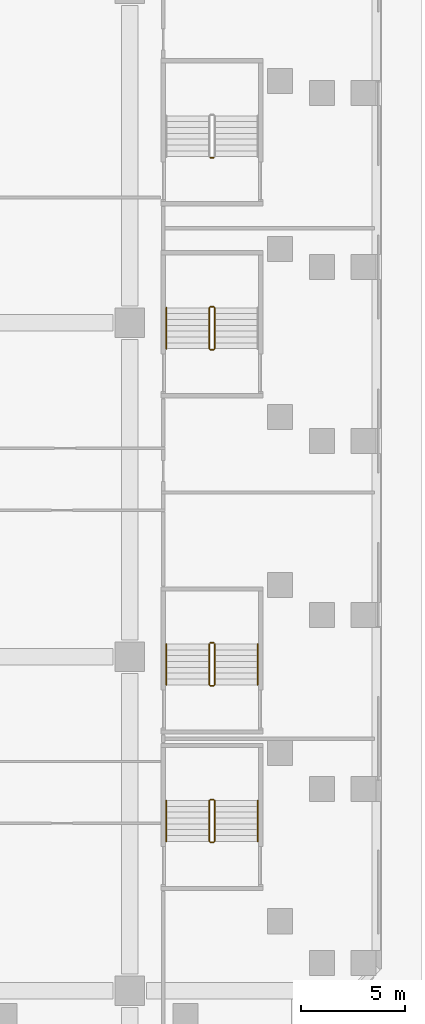
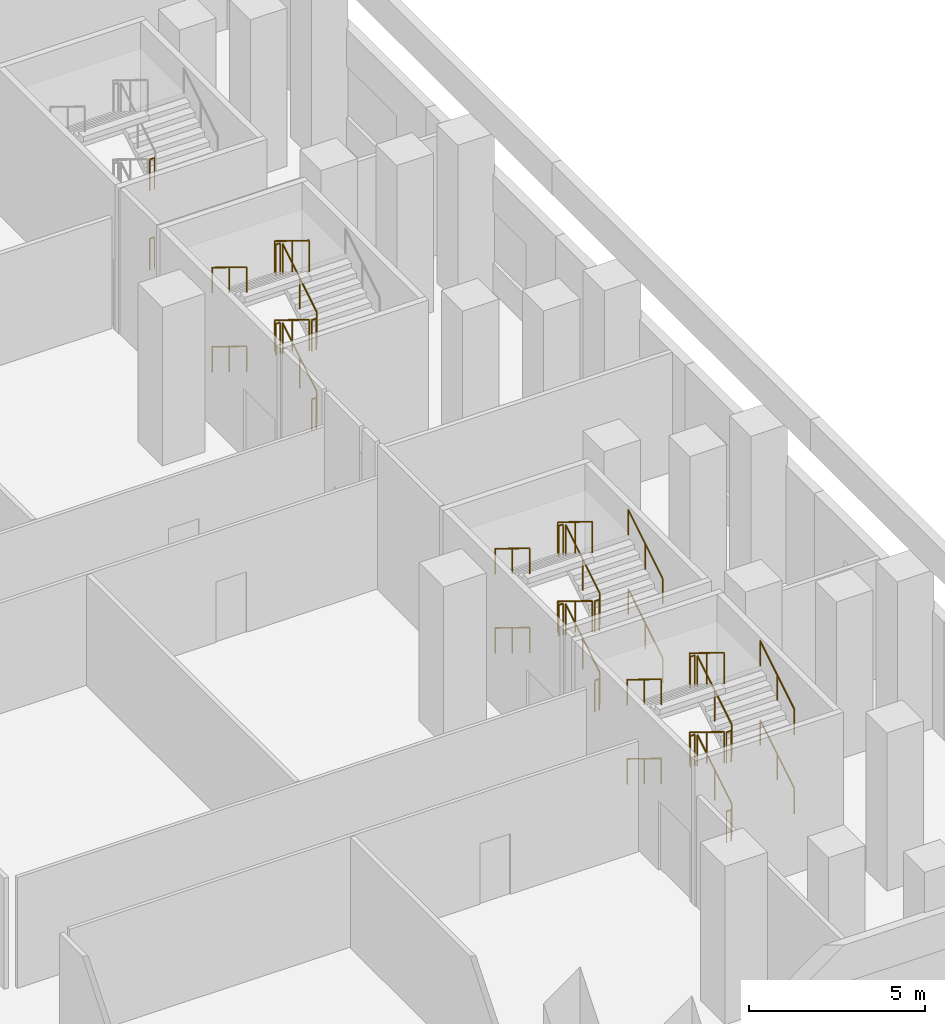
# One storey, part 21 of 22: 36 railings.
"""IFC4 building model written with IfcOpenShell, lengths in metres."""

from ifc_helpers import new_model, si_unit, direction, frame, origin, origin_2d, place, context, subcontext, project, spatial, circle, extrude, material, type_object, element, save


model = new_model("IFC4")

# Units and contexts
model_context = context("Model", 3, precision=1e-05, world=origin(), true_north=direction((0.0, 1.0)))
body_context = subcontext(model_context, "Body", "Model", "MODEL_VIEW")
ifc_project = project(units=[si_unit("LENGTHUNIT", "METRE"), si_unit("AREAUNIT", "SQUARE_METRE"), si_unit("VOLUMEUNIT", "CUBIC_METRE"), si_unit("PLANEANGLEUNIT", "RADIAN"), si_unit("MASSUNIT", "GRAM", prefix="KILO")], contexts=[model_context])

# Site, building, storey
site_placement = place(None, origin())
site = spatial("IfcSite", under=ifc_project, at=site_placement, CompositionType="ELEMENT")
building_placement = place(site_placement, origin())
building = spatial("IfcBuilding", under=site, at=building_placement, Name="Calabash Gate Tower", CompositionType="ELEMENT")
storey_placement = place(building_placement, frame((0.0, 0.0, 29.0)))
storey = spatial("IfcBuildingStorey", under=building, at=storey_placement, Name="L03", CompositionType="ELEMENT", Elevation=29.0)

# Railings
ifc_material_1 = material(Name="Black powder-coated steel balusters", Category="steel")
railing_type_1 = type_object("IfcRailingType", Name="Stair guard RL1100", PredefinedType="GUARDRAIL", material=ifc_material_1)
railing_1_placement = place(storey_placement, frame((36.06005859375, -32.840087890625, 0.171875)))
element("IfcRailing", 1, at=railing_1_placement, inside=storey, type_object=railing_type_1, Name="L03 PS6 stair guard 1", PredefinedType="GUARDRAIL", context=body_context, shape_type="SweptSolid", body=[
    extrude(circle(Radius=0.02392578125, at=origin_2d()), frame((0.0, 0.0, 1.076171875), z_axis=(0.0, 0.851424364277, 0.524477408394), x_axis=(-1.0, 0.0, 0.0)), (0.0, 0.0, 1.0), 2.2939453125),
    extrude(circle(Radius=0.02099609375, at=origin_2d()), origin(), (0.0, 0.0, 1.0), 1.052001953125),
    extrude(circle(Radius=0.02099609375, at=origin_2d()), frame((0.0, 0.9765625, 0.6015625)), (0.0, 0.0, 1.0), 1.052001953125),
    extrude(circle(Radius=0.02099609375, at=origin_2d()), frame((0.0, 1.953125, 1.203125)), (0.0, 0.0, 1.0), 1.052001953125),
])
railing_2_placement = place(storey_placement, frame((36.010009765625, -30.8369140625, 1.375)))
element("IfcRailing", 2, at=railing_2_placement, inside=storey, type_object=railing_type_1, Name="L03 PS6 stair guard 2", PredefinedType="GUARDRAIL", context=body_context, shape_type="SweptSolid", body=[
    extrude(circle(Radius=0.02392578125, at=origin_2d()), frame((0.0, 0.0, 1.076171875), z_axis=(-1.0, 0.0, 0.0), x_axis=(0.0, -1.0, 0.0)), (0.0, 0.0, 1.0), 0.14990234375),
    extrude(circle(Radius=0.02099609375, at=origin_2d()), origin(), (0.0, 0.0, 1.0), 1.052001953125),
    extrude(circle(Radius=0.02099609375, at=origin_2d()), frame((-0.14990234375, 0.0, 0.0)), (0.0, 0.0, 1.0), 1.052001953125),
])
railing_3_placement = place(storey_placement, frame((35.81005859375, -30.886962890625, 1.546875)))
element("IfcRailing", 3, at=railing_3_placement, inside=storey, type_object=railing_type_1, Name="L03 PS6 stair guard 3", PredefinedType="GUARDRAIL", context=body_context, shape_type="SweptSolid", body=[
    extrude(circle(Radius=0.02392578125, at=origin_2d()), frame((0.0, 0.0, 1.076171875), z_axis=(0.0, -0.851424364277, 0.524477408394), x_axis=(1.0, 0.0, 0.0)), (0.0, 0.0, 1.0), 2.2939453125),
    extrude(circle(Radius=0.02099609375, at=origin_2d()), origin(), (0.0, 0.0, 1.0), 1.052001953125),
    extrude(circle(Radius=0.02099609375, at=origin_2d()), frame((0.0, -0.9765625, 0.6015625)), (0.0, 0.0, 1.0), 1.052001953125),
    extrude(circle(Radius=0.02099609375, at=origin_2d()), frame((0.0, -1.953125, 1.203125)), (0.0, 0.0, 1.0), 1.052001953125),
])
railing_4_placement = place(storey_placement, frame((36.010009765625, -32.889892578125, 2.75)))
element("IfcRailing", 4, at=railing_4_placement, inside=storey, type_object=railing_type_1, Name="L03 PS6 stair guard 4", PredefinedType="GUARDRAIL", context=body_context, shape_type="SweptSolid", body=[
    extrude(circle(Radius=0.02392578125, at=origin_2d()), frame((0.0, 0.0, 1.076171875), z_axis=(-1.0, 0.0, 0.0), x_axis=(0.0, -1.0, 0.0)), (0.0, 0.0, 1.0), 0.14990234375),
    extrude(circle(Radius=0.02099609375, at=origin_2d()), origin(), (0.0, 0.0, 1.0), 1.052001953125),
    extrude(circle(Radius=0.02099609375, at=origin_2d()), frame((-0.14990234375, 0.0, 0.0)), (0.0, 0.0, 1.0), 1.052001953125),
])
railing_5_placement = place(storey_placement, frame((36.06005859375, -32.840087890625, 2.921875)))
element("IfcRailing", 5, at=railing_5_placement, inside=storey, type_object=railing_type_1, Name="L03 PS6 stair guard 5", PredefinedType="GUARDRAIL", context=body_context, shape_type="SweptSolid", body=[
    extrude(circle(Radius=0.02392578125, at=origin_2d()), frame((0.0, 0.0, 1.076171875), z_axis=(0.0, 0.851424364277, 0.524477408394), x_axis=(-1.0, 0.0, 0.0)), (0.0, 0.0, 1.0), 2.2939453125),
    extrude(circle(Radius=0.02099609375, at=origin_2d()), origin(), (0.0, 0.0, 1.0), 1.052001953125),
    extrude(circle(Radius=0.02099609375, at=origin_2d()), frame((0.0, 0.9765625, 0.6015625)), (0.0, 0.0, 1.0), 1.052001953125),
    extrude(circle(Radius=0.02099609375, at=origin_2d()), frame((0.0, 1.953125, 1.203125)), (0.0, 0.0, 1.0), 1.052001953125),
])
railing_6_placement = place(storey_placement, frame((36.010009765625, -30.8369140625, 4.125)))
element("IfcRailing", 6, at=railing_6_placement, inside=storey, type_object=railing_type_1, Name="L03 PS6 stair guard 6", PredefinedType="GUARDRAIL", context=body_context, shape_type="SweptSolid", body=[
    extrude(circle(Radius=0.02392578125, at=origin_2d()), frame((0.0, 0.0, 1.076171875), z_axis=(-1.0, 0.0, 0.0), x_axis=(0.0, -1.0, 0.0)), (0.0, 0.0, 1.0), 0.14990234375),
    extrude(circle(Radius=0.02099609375, at=origin_2d()), origin(), (0.0, 0.0, 1.0), 1.052001953125),
    extrude(circle(Radius=0.02099609375, at=origin_2d()), frame((-0.14990234375, 0.0, 0.0)), (0.0, 0.0, 1.0), 1.052001953125),
])
railing_7_placement = place(storey_placement, frame((35.81005859375, -30.886962890625, 4.296875)))
element("IfcRailing", 7, at=railing_7_placement, inside=storey, type_object=railing_type_1, Name="L03 PS6 stair guard 7", PredefinedType="GUARDRAIL", context=body_context, shape_type="SweptSolid", body=[
    extrude(circle(Radius=0.02392578125, at=origin_2d()), frame((0.0, 0.0, 1.076171875), z_axis=(0.0, -0.851424364277, 0.524477408394), x_axis=(1.0, 0.0, 0.0)), (0.0, 0.0, 1.0), 2.2939453125),
    extrude(circle(Radius=0.02099609375, at=origin_2d()), origin(), (0.0, 0.0, 1.0), 1.052001953125),
    extrude(circle(Radius=0.02099609375, at=origin_2d()), frame((0.0, -0.9765625, 0.6015625)), (0.0, 0.0, 1.0), 1.052001953125),
    extrude(circle(Radius=0.02099609375, at=origin_2d()), frame((0.0, -1.953125, 1.203125)), (0.0, 0.0, 1.0), 1.052001953125),
])
railing_8_placement = place(storey_placement, frame((36.010009765625, -32.889892578125, 0.0)))
element("IfcRailing", 8, at=railing_8_placement, inside=storey, type_object=railing_type_1, Name="L03 PS6 stair guard 8", PredefinedType="GUARDRAIL", context=body_context, shape_type="SweptSolid", body=[
    extrude(circle(Radius=0.02392578125, at=origin_2d()), frame((0.0, 0.0, 1.076171875), z_axis=(-1.0, 0.0, 0.0), x_axis=(0.0, -1.0, 0.0)), (0.0, 0.0, 1.0), 0.14990234375),
    extrude(circle(Radius=0.02099609375, at=origin_2d()), origin(), (0.0, 0.0, 1.0), 1.052001953125),
    extrude(circle(Radius=0.02099609375, at=origin_2d()), frame((-0.14990234375, 0.0, 0.0)), (0.0, 0.0, 1.0), 1.052001953125),
])
railing_9_placement = place(storey_placement, frame((36.06005859375, -25.340087890625, 0.171875)))
element("IfcRailing", 9, at=railing_9_placement, inside=storey, type_object=railing_type_1, Name="L03 PS7 stair guard 1", PredefinedType="GUARDRAIL", context=body_context, shape_type="SweptSolid", body=[
    extrude(circle(Radius=0.02392578125, at=origin_2d()), frame((0.0, 0.0, 1.076171875), z_axis=(0.0, 0.851424364277, 0.524477408394), x_axis=(-1.0, 0.0, 0.0)), (0.0, 0.0, 1.0), 2.2939453125),
    extrude(circle(Radius=0.02099609375, at=origin_2d()), origin(), (0.0, 0.0, 1.0), 1.052001953125),
    extrude(circle(Radius=0.02099609375, at=origin_2d()), frame((0.0, 0.9765625, 0.6015625)), (0.0, 0.0, 1.0), 1.052001953125),
    extrude(circle(Radius=0.02099609375, at=origin_2d()), frame((0.0, 1.953125, 1.203125)), (0.0, 0.0, 1.0), 1.052001953125),
])
railing_10_placement = place(storey_placement, frame((36.010009765625, -23.3369140625, 1.375)))
element("IfcRailing", 10, at=railing_10_placement, inside=storey, type_object=railing_type_1, Name="L03 PS7 stair guard 2", PredefinedType="GUARDRAIL", context=body_context, shape_type="SweptSolid", body=[
    extrude(circle(Radius=0.02392578125, at=origin_2d()), frame((0.0, 0.0, 1.076171875), z_axis=(-1.0, 0.0, 0.0), x_axis=(0.0, -1.0, 0.0)), (0.0, 0.0, 1.0), 0.14990234375),
    extrude(circle(Radius=0.02099609375, at=origin_2d()), origin(), (0.0, 0.0, 1.0), 1.052001953125),
    extrude(circle(Radius=0.02099609375, at=origin_2d()), frame((-0.14990234375, 0.0, 0.0)), (0.0, 0.0, 1.0), 1.052001953125),
])
railing_11_placement = place(storey_placement, frame((35.81005859375, -23.386962890625, 1.546875)))
element("IfcRailing", 11, at=railing_11_placement, inside=storey, type_object=railing_type_1, Name="L03 PS7 stair guard 3", PredefinedType="GUARDRAIL", context=body_context, shape_type="SweptSolid", body=[
    extrude(circle(Radius=0.02392578125, at=origin_2d()), frame((0.0, 0.0, 1.076171875), z_axis=(0.0, -0.851424364277, 0.524477408394), x_axis=(1.0, 0.0, 0.0)), (0.0, 0.0, 1.0), 2.2939453125),
    extrude(circle(Radius=0.02099609375, at=origin_2d()), origin(), (0.0, 0.0, 1.0), 1.052001953125),
    extrude(circle(Radius=0.02099609375, at=origin_2d()), frame((0.0, -0.9765625, 0.6015625)), (0.0, 0.0, 1.0), 1.052001953125),
    extrude(circle(Radius=0.02099609375, at=origin_2d()), frame((0.0, -1.953125, 1.203125)), (0.0, 0.0, 1.0), 1.052001953125),
])
railing_12_placement = place(storey_placement, frame((36.010009765625, -25.389892578125, 2.75)))
element("IfcRailing", 12, at=railing_12_placement, inside=storey, type_object=railing_type_1, Name="L03 PS7 stair guard 4", PredefinedType="GUARDRAIL", context=body_context, shape_type="SweptSolid", body=[
    extrude(circle(Radius=0.02392578125, at=origin_2d()), frame((0.0, 0.0, 1.076171875), z_axis=(-1.0, 0.0, 0.0), x_axis=(0.0, -1.0, 0.0)), (0.0, 0.0, 1.0), 0.14990234375),
    extrude(circle(Radius=0.02099609375, at=origin_2d()), origin(), (0.0, 0.0, 1.0), 1.052001953125),
    extrude(circle(Radius=0.02099609375, at=origin_2d()), frame((-0.14990234375, 0.0, 0.0)), (0.0, 0.0, 1.0), 1.052001953125),
])
railing_13_placement = place(storey_placement, frame((36.06005859375, -25.340087890625, 2.921875)))
element("IfcRailing", 13, at=railing_13_placement, inside=storey, type_object=railing_type_1, Name="L03 PS7 stair guard 5", PredefinedType="GUARDRAIL", context=body_context, shape_type="SweptSolid", body=[
    extrude(circle(Radius=0.02392578125, at=origin_2d()), frame((0.0, 0.0, 1.076171875), z_axis=(0.0, 0.851424364277, 0.524477408394), x_axis=(-1.0, 0.0, 0.0)), (0.0, 0.0, 1.0), 2.2939453125),
    extrude(circle(Radius=0.02099609375, at=origin_2d()), origin(), (0.0, 0.0, 1.0), 1.052001953125),
    extrude(circle(Radius=0.02099609375, at=origin_2d()), frame((0.0, 0.9765625, 0.6015625)), (0.0, 0.0, 1.0), 1.052001953125),
    extrude(circle(Radius=0.02099609375, at=origin_2d()), frame((0.0, 1.953125, 1.203125)), (0.0, 0.0, 1.0), 1.052001953125),
])
railing_14_placement = place(storey_placement, frame((36.010009765625, -23.3369140625, 4.125)))
element("IfcRailing", 14, at=railing_14_placement, inside=storey, type_object=railing_type_1, Name="L03 PS7 stair guard 6", PredefinedType="GUARDRAIL", context=body_context, shape_type="SweptSolid", body=[
    extrude(circle(Radius=0.02392578125, at=origin_2d()), frame((0.0, 0.0, 1.076171875), z_axis=(-1.0, 0.0, 0.0), x_axis=(0.0, -1.0, 0.0)), (0.0, 0.0, 1.0), 0.14990234375),
    extrude(circle(Radius=0.02099609375, at=origin_2d()), origin(), (0.0, 0.0, 1.0), 1.052001953125),
    extrude(circle(Radius=0.02099609375, at=origin_2d()), frame((-0.14990234375, 0.0, 0.0)), (0.0, 0.0, 1.0), 1.052001953125),
])
railing_15_placement = place(storey_placement, frame((35.81005859375, -23.386962890625, 4.296875)))
element("IfcRailing", 15, at=railing_15_placement, inside=storey, type_object=railing_type_1, Name="L03 PS7 stair guard 7", PredefinedType="GUARDRAIL", context=body_context, shape_type="SweptSolid", body=[
    extrude(circle(Radius=0.02392578125, at=origin_2d()), frame((0.0, 0.0, 1.076171875), z_axis=(0.0, -0.851424364277, 0.524477408394), x_axis=(1.0, 0.0, 0.0)), (0.0, 0.0, 1.0), 2.2939453125),
    extrude(circle(Radius=0.02099609375, at=origin_2d()), origin(), (0.0, 0.0, 1.0), 1.052001953125),
    extrude(circle(Radius=0.02099609375, at=origin_2d()), frame((0.0, -0.9765625, 0.6015625)), (0.0, 0.0, 1.0), 1.052001953125),
    extrude(circle(Radius=0.02099609375, at=origin_2d()), frame((0.0, -1.953125, 1.203125)), (0.0, 0.0, 1.0), 1.052001953125),
])
railing_16_placement = place(storey_placement, frame((36.010009765625, -25.389892578125, 0.0)))
element("IfcRailing", 16, at=railing_16_placement, inside=storey, type_object=railing_type_1, Name="L03 PS7 stair guard 8", PredefinedType="GUARDRAIL", context=body_context, shape_type="SweptSolid", body=[
    extrude(circle(Radius=0.02392578125, at=origin_2d()), frame((0.0, 0.0, 1.076171875), z_axis=(-1.0, 0.0, 0.0), x_axis=(0.0, -1.0, 0.0)), (0.0, 0.0, 1.0), 0.14990234375),
    extrude(circle(Radius=0.02099609375, at=origin_2d()), origin(), (0.0, 0.0, 1.0), 1.052001953125),
    extrude(circle(Radius=0.02099609375, at=origin_2d()), frame((-0.14990234375, 0.0, 0.0)), (0.0, 0.0, 1.0), 1.052001953125),
])
railing_17_placement = place(storey_placement, frame((36.06005859375, -9.239990234375, 0.171875)))
element("IfcRailing", 17, at=railing_17_placement, inside=storey, type_object=railing_type_1, Name="L03 PS8 stair guard 1", PredefinedType="GUARDRAIL", context=body_context, shape_type="SweptSolid", body=[
    extrude(circle(Radius=0.02392578125, at=origin_2d()), frame((0.0, 0.0, 1.076171875), z_axis=(0.0, 0.851395084437, 0.52452493763), x_axis=(-1.0, 0.0, 0.0)), (0.0, 0.0, 1.0), 2.293701171875),
    extrude(circle(Radius=0.02099609375, at=origin_2d()), origin(), (0.0, 0.0, 1.0), 1.052001953125),
    extrude(circle(Radius=0.02099609375, at=origin_2d()), frame((0.0, 0.9765625, 0.6015625)), (0.0, 0.0, 1.0), 1.052001953125),
    extrude(circle(Radius=0.02099609375, at=origin_2d()), frame((0.0, 1.952880859375, 1.203125)), (0.0, 0.0, 1.0), 1.052001953125),
])
railing_18_placement = place(storey_placement, frame((36.010009765625, -7.237060546875, 1.375)))
element("IfcRailing", 18, at=railing_18_placement, inside=storey, type_object=railing_type_1, Name="L03 PS8 stair guard 2", PredefinedType="GUARDRAIL", context=body_context, shape_type="SweptSolid", body=[
    extrude(circle(Radius=0.02392578125, at=origin_2d()), frame((0.0, 0.0, 1.076171875), z_axis=(-1.0, 0.0, 0.0), x_axis=(0.0, -1.0, 0.0)), (0.0, 0.0, 1.0), 0.14990234375),
    extrude(circle(Radius=0.02099609375, at=origin_2d()), origin(), (0.0, 0.0, 1.0), 1.052001953125),
    extrude(circle(Radius=0.02099609375, at=origin_2d()), frame((-0.14990234375, 0.0, 0.0)), (0.0, 0.0, 1.0), 1.052001953125),
])
railing_19_placement = place(storey_placement, frame((35.81005859375, -7.287109375, 1.546875)))
element("IfcRailing", 19, at=railing_19_placement, inside=storey, type_object=railing_type_1, Name="L03 PS8 stair guard 3", PredefinedType="GUARDRAIL", context=body_context, shape_type="SweptSolid", body=[
    extrude(circle(Radius=0.02392578125, at=origin_2d()), frame((0.0, 0.0, 1.076171875), z_axis=(0.0, -0.851395084437, 0.52452493763), x_axis=(1.0, 0.0, 0.0)), (0.0, 0.0, 1.0), 2.293701171875),
    extrude(circle(Radius=0.02099609375, at=origin_2d()), origin(), (0.0, 0.0, 1.0), 1.052001953125),
    extrude(circle(Radius=0.02099609375, at=origin_2d()), frame((0.0, -0.9765625, 0.6015625)), (0.0, 0.0, 1.0), 1.052001953125),
    extrude(circle(Radius=0.02099609375, at=origin_2d()), frame((0.0, -1.952880859375, 1.203125)), (0.0, 0.0, 1.0), 1.052001953125),
])
railing_20_placement = place(storey_placement, frame((36.010009765625, -9.2900390625, 2.75)))
element("IfcRailing", 20, at=railing_20_placement, inside=storey, type_object=railing_type_1, Name="L03 PS8 stair guard 4", PredefinedType="GUARDRAIL", context=body_context, shape_type="SweptSolid", body=[
    extrude(circle(Radius=0.02392578125, at=origin_2d()), frame((0.0, 0.0, 1.076171875), z_axis=(-1.0, 0.0, 0.0), x_axis=(0.0, -1.0, 0.0)), (0.0, 0.0, 1.0), 0.14990234375),
    extrude(circle(Radius=0.02099609375, at=origin_2d()), origin(), (0.0, 0.0, 1.0), 1.052001953125),
    extrude(circle(Radius=0.02099609375, at=origin_2d()), frame((-0.14990234375, 0.0, 0.0)), (0.0, 0.0, 1.0), 1.052001953125),
])
railing_21_placement = place(storey_placement, frame((36.06005859375, -9.239990234375, 2.921875)))
element("IfcRailing", 21, at=railing_21_placement, inside=storey, type_object=railing_type_1, Name="L03 PS8 stair guard 5", PredefinedType="GUARDRAIL", context=body_context, shape_type="SweptSolid", body=[
    extrude(circle(Radius=0.02392578125, at=origin_2d()), frame((0.0, 0.0, 1.076171875), z_axis=(0.0, 0.851395084437, 0.52452493763), x_axis=(-1.0, 0.0, 0.0)), (0.0, 0.0, 1.0), 2.293701171875),
    extrude(circle(Radius=0.02099609375, at=origin_2d()), origin(), (0.0, 0.0, 1.0), 1.052001953125),
    extrude(circle(Radius=0.02099609375, at=origin_2d()), frame((0.0, 0.9765625, 0.6015625)), (0.0, 0.0, 1.0), 1.052001953125),
    extrude(circle(Radius=0.02099609375, at=origin_2d()), frame((0.0, 1.952880859375, 1.203125)), (0.0, 0.0, 1.0), 1.052001953125),
])
railing_22_placement = place(storey_placement, frame((36.010009765625, -7.237060546875, 4.125)))
element("IfcRailing", 22, at=railing_22_placement, inside=storey, type_object=railing_type_1, Name="L03 PS8 stair guard 6", PredefinedType="GUARDRAIL", context=body_context, shape_type="SweptSolid", body=[
    extrude(circle(Radius=0.02392578125, at=origin_2d()), frame((0.0, 0.0, 1.076171875), z_axis=(-1.0, 0.0, 0.0), x_axis=(0.0, -1.0, 0.0)), (0.0, 0.0, 1.0), 0.14990234375),
    extrude(circle(Radius=0.02099609375, at=origin_2d()), origin(), (0.0, 0.0, 1.0), 1.052001953125),
    extrude(circle(Radius=0.02099609375, at=origin_2d()), frame((-0.14990234375, 0.0, 0.0)), (0.0, 0.0, 1.0), 1.052001953125),
])
railing_23_placement = place(storey_placement, frame((35.81005859375, -7.287109375, 4.296875)))
element("IfcRailing", 23, at=railing_23_placement, inside=storey, type_object=railing_type_1, Name="L03 PS8 stair guard 7", PredefinedType="GUARDRAIL", context=body_context, shape_type="SweptSolid", body=[
    extrude(circle(Radius=0.02392578125, at=origin_2d()), frame((0.0, 0.0, 1.076171875), z_axis=(0.0, -0.851395084437, 0.52452493763), x_axis=(1.0, 0.0, 0.0)), (0.0, 0.0, 1.0), 2.293701171875),
    extrude(circle(Radius=0.02099609375, at=origin_2d()), origin(), (0.0, 0.0, 1.0), 1.052001953125),
    extrude(circle(Radius=0.02099609375, at=origin_2d()), frame((0.0, -0.9765625, 0.6015625)), (0.0, 0.0, 1.0), 1.052001953125),
    extrude(circle(Radius=0.02099609375, at=origin_2d()), frame((0.0, -1.952880859375, 1.203125)), (0.0, 0.0, 1.0), 1.052001953125),
])
for number, where, name in (
    (24, (36.010009765625, -9.2900390625, 0.0), "L03 PS8 stair guard 8"),
    (25, (36.010009765625, -0.090087890625, 2.75), "L03 PS9 stair guard 4"),
    (26, (36.010009765625, -0.090087890625, 0.0), "L03 PS9 stair guard 8"),
):
    element("IfcRailing", number, at=place(storey_placement, frame(where)), inside=storey, type_object=railing_type_1, Name=name, PredefinedType="GUARDRAIL", context=body_context, shape_type="SweptSolid", body=[
        extrude(circle(Radius=0.02392578125, at=origin_2d()), frame((0.0, 0.0, 1.076171875), z_axis=(-1.0, 0.0, 0.0), x_axis=(0.0, -1.0, 0.0)), (0.0, 0.0, 1.0), 0.14990234375),
        extrude(circle(Radius=0.02099609375, at=origin_2d()), origin(), (0.0, 0.0, 1.0), 1.052001953125),
        extrude(circle(Radius=0.02099609375, at=origin_2d()), frame((-0.14990234375, 0.0, 0.0)), (0.0, 0.0, 1.0), 1.052001953125),
    ])
ifc_material_2 = material(Name="Black powder-coated steel tube 48 mm", Category="steel")
railing_type_2 = type_object("IfcRailingType", Name="Stair handrail RL900", PredefinedType="HANDRAIL", material=ifc_material_2)
railing_24_placement = place(storey_placement, frame((38.1201171875, -32.840087890625, 0.171875)))
element("IfcRailing", 27, at=railing_24_placement, inside=storey, type_object=railing_type_2, Name="L03 PS6 stair handrail 1", PredefinedType="HANDRAIL", context=body_context, shape_type="SweptSolid", body=[
    extrude(circle(Radius=0.02392578125, at=origin_2d()), frame((0.0, 0.0, 0.8759765625), z_axis=(0.0, 0.851424364277, 0.524477408394), x_axis=(-1.0, 0.0, 0.0)), (0.0, 0.0, 1.0), 2.2939453125),
    extrude(circle(Radius=0.02099609375, at=origin_2d()), origin(), (0.0, 0.0, 1.0), 0.851806640625),
    extrude(circle(Radius=0.02099609375, at=origin_2d()), frame((0.0, 0.9765625, 0.6015625)), (0.0, 0.0, 1.0), 0.851806640625),
    extrude(circle(Radius=0.02099609375, at=origin_2d()), frame((0.0, 1.953125, 1.203125)), (0.0, 0.0, 1.0), 0.851806640625),
])
railing_25_placement = place(storey_placement, frame((33.75, -30.886962890625, 1.546875)))
element("IfcRailing", 28, at=railing_25_placement, inside=storey, type_object=railing_type_2, Name="L03 PS6 stair handrail 2", PredefinedType="HANDRAIL", context=body_context, shape_type="SweptSolid", body=[
    extrude(circle(Radius=0.02392578125, at=origin_2d()), frame((0.0, 0.0, 0.8759765625), z_axis=(0.0, -0.851424364277, 0.524477408394), x_axis=(1.0, 0.0, 0.0)), (0.0, 0.0, 1.0), 2.2939453125),
    extrude(circle(Radius=0.02099609375, at=origin_2d()), origin(), (0.0, 0.0, 1.0), 0.851806640625),
    extrude(circle(Radius=0.02099609375, at=origin_2d()), frame((0.0, -0.9765625, 0.6015625)), (0.0, 0.0, 1.0), 0.851806640625),
    extrude(circle(Radius=0.02099609375, at=origin_2d()), frame((0.0, -1.953125, 1.203125)), (0.0, 0.0, 1.0), 0.851806640625),
])
railing_26_placement = place(storey_placement, frame((38.1201171875, -32.840087890625, 2.921875)))
element("IfcRailing", 29, at=railing_26_placement, inside=storey, type_object=railing_type_2, Name="L03 PS6 stair handrail 3", PredefinedType="HANDRAIL", context=body_context, shape_type="SweptSolid", body=[
    extrude(circle(Radius=0.02392578125, at=origin_2d()), frame((0.0, 0.0, 0.8759765625), z_axis=(0.0, 0.851424364277, 0.524477408394), x_axis=(-1.0, 0.0, 0.0)), (0.0, 0.0, 1.0), 2.2939453125),
    extrude(circle(Radius=0.02099609375, at=origin_2d()), origin(), (0.0, 0.0, 1.0), 0.851806640625),
    extrude(circle(Radius=0.02099609375, at=origin_2d()), frame((0.0, 0.9765625, 0.6015625)), (0.0, 0.0, 1.0), 0.851806640625),
    extrude(circle(Radius=0.02099609375, at=origin_2d()), frame((0.0, 1.953125, 1.203125)), (0.0, 0.0, 1.0), 0.851806640625),
])
railing_27_placement = place(storey_placement, frame((33.75, -30.886962890625, 4.296875)))
element("IfcRailing", 30, at=railing_27_placement, inside=storey, type_object=railing_type_2, Name="L03 PS6 stair handrail 4", PredefinedType="HANDRAIL", context=body_context, shape_type="SweptSolid", body=[
    extrude(circle(Radius=0.02392578125, at=origin_2d()), frame((0.0, 0.0, 0.8759765625), z_axis=(0.0, -0.851424364277, 0.524477408394), x_axis=(1.0, 0.0, 0.0)), (0.0, 0.0, 1.0), 2.2939453125),
    extrude(circle(Radius=0.02099609375, at=origin_2d()), origin(), (0.0, 0.0, 1.0), 0.851806640625),
    extrude(circle(Radius=0.02099609375, at=origin_2d()), frame((0.0, -0.9765625, 0.6015625)), (0.0, 0.0, 1.0), 0.851806640625),
    extrude(circle(Radius=0.02099609375, at=origin_2d()), frame((0.0, -1.953125, 1.203125)), (0.0, 0.0, 1.0), 0.851806640625),
])
railing_28_placement = place(storey_placement, frame((38.1201171875, -25.340087890625, 0.171875)))
element("IfcRailing", 31, at=railing_28_placement, inside=storey, type_object=railing_type_2, Name="L03 PS7 stair handrail 1", PredefinedType="HANDRAIL", context=body_context, shape_type="SweptSolid", body=[
    extrude(circle(Radius=0.02392578125, at=origin_2d()), frame((0.0, 0.0, 0.8759765625), z_axis=(0.0, 0.851424364277, 0.524477408394), x_axis=(-1.0, 0.0, 0.0)), (0.0, 0.0, 1.0), 2.2939453125),
    extrude(circle(Radius=0.02099609375, at=origin_2d()), origin(), (0.0, 0.0, 1.0), 0.851806640625),
    extrude(circle(Radius=0.02099609375, at=origin_2d()), frame((0.0, 0.9765625, 0.6015625)), (0.0, 0.0, 1.0), 0.851806640625),
    extrude(circle(Radius=0.02099609375, at=origin_2d()), frame((0.0, 1.953125, 1.203125)), (0.0, 0.0, 1.0), 0.851806640625),
])
railing_29_placement = place(storey_placement, frame((33.75, -23.386962890625, 1.546875)))
element("IfcRailing", 32, at=railing_29_placement, inside=storey, type_object=railing_type_2, Name="L03 PS7 stair handrail 2", PredefinedType="HANDRAIL", context=body_context, shape_type="SweptSolid", body=[
    extrude(circle(Radius=0.02392578125, at=origin_2d()), frame((0.0, 0.0, 0.8759765625), z_axis=(0.0, -0.851424364277, 0.524477408394), x_axis=(1.0, 0.0, 0.0)), (0.0, 0.0, 1.0), 2.2939453125),
    extrude(circle(Radius=0.02099609375, at=origin_2d()), origin(), (0.0, 0.0, 1.0), 0.851806640625),
    extrude(circle(Radius=0.02099609375, at=origin_2d()), frame((0.0, -0.9765625, 0.6015625)), (0.0, 0.0, 1.0), 0.851806640625),
    extrude(circle(Radius=0.02099609375, at=origin_2d()), frame((0.0, -1.953125, 1.203125)), (0.0, 0.0, 1.0), 0.851806640625),
])
railing_30_placement = place(storey_placement, frame((38.1201171875, -25.340087890625, 2.921875)))
element("IfcRailing", 33, at=railing_30_placement, inside=storey, type_object=railing_type_2, Name="L03 PS7 stair handrail 3", PredefinedType="HANDRAIL", context=body_context, shape_type="SweptSolid", body=[
    extrude(circle(Radius=0.02392578125, at=origin_2d()), frame((0.0, 0.0, 0.8759765625), z_axis=(0.0, 0.851424364277, 0.524477408394), x_axis=(-1.0, 0.0, 0.0)), (0.0, 0.0, 1.0), 2.2939453125),
    extrude(circle(Radius=0.02099609375, at=origin_2d()), origin(), (0.0, 0.0, 1.0), 0.851806640625),
    extrude(circle(Radius=0.02099609375, at=origin_2d()), frame((0.0, 0.9765625, 0.6015625)), (0.0, 0.0, 1.0), 0.851806640625),
    extrude(circle(Radius=0.02099609375, at=origin_2d()), frame((0.0, 1.953125, 1.203125)), (0.0, 0.0, 1.0), 0.851806640625),
])
railing_31_placement = place(storey_placement, frame((33.75, -23.386962890625, 4.296875)))
element("IfcRailing", 34, at=railing_31_placement, inside=storey, type_object=railing_type_2, Name="L03 PS7 stair handrail 4", PredefinedType="HANDRAIL", context=body_context, shape_type="SweptSolid", body=[
    extrude(circle(Radius=0.02392578125, at=origin_2d()), frame((0.0, 0.0, 0.8759765625), z_axis=(0.0, -0.851424364277, 0.524477408394), x_axis=(1.0, 0.0, 0.0)), (0.0, 0.0, 1.0), 2.2939453125),
    extrude(circle(Radius=0.02099609375, at=origin_2d()), origin(), (0.0, 0.0, 1.0), 0.851806640625),
    extrude(circle(Radius=0.02099609375, at=origin_2d()), frame((0.0, -0.9765625, 0.6015625)), (0.0, 0.0, 1.0), 0.851806640625),
    extrude(circle(Radius=0.02099609375, at=origin_2d()), frame((0.0, -1.953125, 1.203125)), (0.0, 0.0, 1.0), 0.851806640625),
])
for number, where, name in (
    (35, (33.75, -7.287109375, 1.546875), "L03 PS8 stair handrail 2"),
    (36, (33.75, -7.287109375, 4.296875), "L03 PS8 stair handrail 4"),
):
    element("IfcRailing", number, at=place(storey_placement, frame(where)), inside=storey, type_object=railing_type_2, Name=name, PredefinedType="HANDRAIL", context=body_context, shape_type="SweptSolid", body=[
        extrude(circle(Radius=0.02392578125, at=origin_2d()), frame((0.0, 0.0, 0.8759765625), z_axis=(0.0, -0.851395084437, 0.52452493763), x_axis=(1.0, 0.0, 0.0)), (0.0, 0.0, 1.0), 2.293701171875),
        extrude(circle(Radius=0.02099609375, at=origin_2d()), origin(), (0.0, 0.0, 1.0), 0.851806640625),
        extrude(circle(Radius=0.02099609375, at=origin_2d()), frame((0.0, -0.9765625, 0.6015625)), (0.0, 0.0, 1.0), 0.851806640625),
        extrude(circle(Radius=0.02099609375, at=origin_2d()), frame((0.0, -1.952880859375, 1.203125)), (0.0, 0.0, 1.0), 0.851806640625),
    ])

save(model, "model.ifc")
